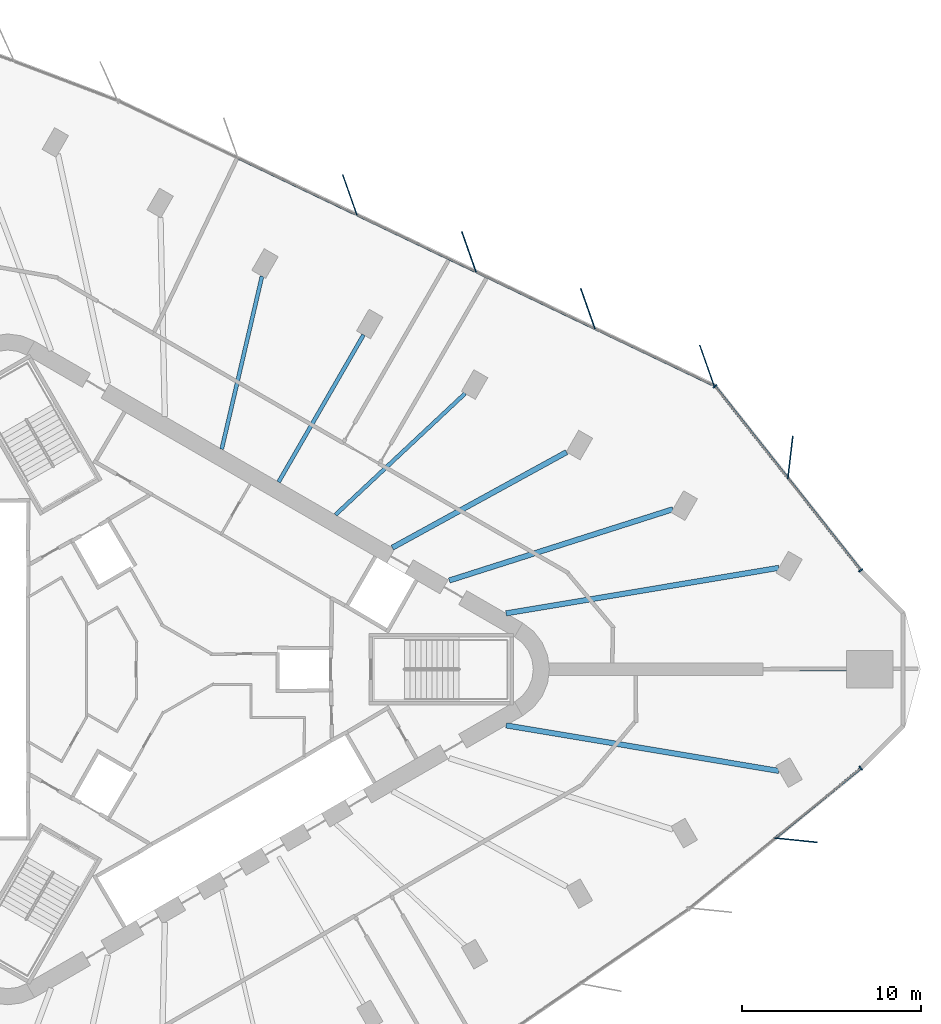
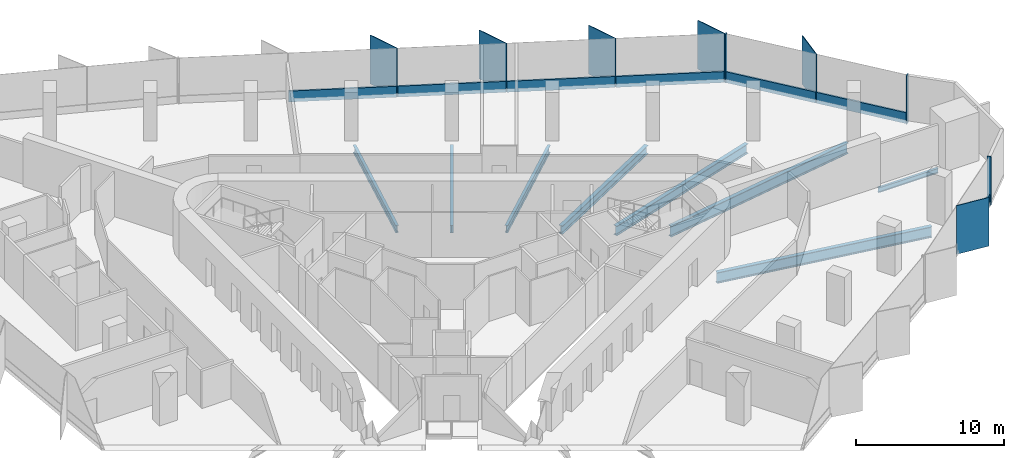
# One storey, part 5 of 13: 16 members, 8 beams, 3 elements without a shape of their own.
"""IFC4 building model written with IfcOpenShell, lengths in metres."""

from ifc_helpers import new_model, si_unit, direction, frame, origin, origin_2d, place, context, subcontext, project, spatial, rectangle, i_section, extrude, material, material_profile, profile_set, type_object, element, aggregate, save


model = new_model("IFC4")

# Units and contexts
model_context = context("Model", 3, precision=1e-05, world=origin(), true_north=direction((0.0, 1.0)))
body_context = subcontext(model_context, "Body", "Model", "MODEL_VIEW")
ifc_project = project(units=[si_unit("LENGTHUNIT", "METRE"), si_unit("AREAUNIT", "SQUARE_METRE"), si_unit("VOLUMEUNIT", "CUBIC_METRE"), si_unit("PLANEANGLEUNIT", "RADIAN"), si_unit("MASSUNIT", "GRAM", prefix="KILO")], contexts=[model_context])

# Site, building, storey
site_placement = place(None, origin())
site = spatial("IfcSite", under=ifc_project, at=site_placement, CompositionType="ELEMENT")
building_placement = place(site_placement, origin())
building = spatial("IfcBuilding", under=site, at=building_placement, Name="Tanit Gate Tower", CompositionType="ELEMENT")
storey_placement = place(building_placement, frame((0.0, 0.0, 197.199951171875)))
storey = spatial("IfcBuildingStorey", under=building, at=storey_placement, Name="L43", CompositionType="ELEMENT", Elevation=197.199951171875)

# Curtain wall, member
ifc_material_1 = material(Name="Aluminium bronze anodised and glass", Category="aluminium")
curtain_wall_type = type_object("IfcCurtainWallType", Name="Curtain wall typical mid", PredefinedType="NOTDEFINED", material=ifc_material_1)
curtain_wall_1_placement = place(storey_placement, origin())
curtain_wall_1 = element("IfcCurtainWall", 1, at=curtain_wall_1_placement, inside=storey, type_object=curtain_wall_type, Name="Curtain wall L43 NE1", PredefinedType="NOTDEFINED")
ifc_material_2 = material(Name="Aluminium bronze anodised", Category="aluminium")
ifc_material_profile_1 = material_profile(ifc_material_2, rectangle(XDim=2.39990234375, YDim=0.055908203125, at=origin_2d()), Name="56x2400 bronze fin mullion")
ifc_profile_set_1 = profile_set([ifc_material_profile_1], Name="Aluminium bronze anodised")
member_type_1 = type_object("IfcMemberType", Name="FIN MULLION 56x2400 bronze", PredefinedType="MULLION", material=ifc_profile_set_1)
member_1_placement = place(storey_placement, frame((34.67626953125, 11.859619140625, -0.300048828125), z_axis=(0.0, 0.0, 1.0), x_axis=(-0.115536669709, -0.993303215515, 0.0)))
member_1 = element("IfcMember", 2, at=member_1_placement, type_object=member_type_1, Name="Fin mullion L43 NE1.2", PredefinedType="MULLION", context=body_context, shape_type="SweptSolid", body=[
    extrude(rectangle(XDim=2.39990234375, YDim=0.055908203125, at=origin_2d()), origin(), (0.0, 0.0, 1.0), 4.0),
])

# Curtain wall, members
curtain_wall_2_placement = place(storey_placement, origin())
curtain_wall_2 = element("IfcCurtainWall", 3, at=curtain_wall_2_placement, inside=storey, type_object=curtain_wall_type, Name="Curtain wall L43 NE2", PredefinedType="NOTDEFINED")
member_2_placement = place(storey_placement, frame((30.011962890625, 16.995849609375, -0.300048828125), z_axis=(0.0, 0.0, 1.0), x_axis=(0.333220063881, -0.942849080727, 0.0)))
member_2 = element("IfcMember", 4, at=member_2_placement, type_object=member_type_1, Name="Fin mullion L43 NE2.1", PredefinedType="MULLION", context=body_context, shape_type="SweptSolid", body=[
    extrude(rectangle(XDim=2.39990234375, YDim=0.055908203125, at=origin_2d()), origin(), (0.0, 0.0, 1.0), 4.0),
])
member_3_placement = place(storey_placement, frame((23.353759765625, 20.1767578125, -0.300048828125), z_axis=(0.0, 0.0, 1.0), x_axis=(0.333220063881, -0.942849080727, 0.0)))
member_3 = element("IfcMember", 5, at=member_3_placement, type_object=member_type_1, Name="Fin mullion L43 NE2.2", PredefinedType="MULLION", context=body_context, shape_type="SweptSolid", body=[
    extrude(rectangle(XDim=2.39990234375, YDim=0.055908203125, at=origin_2d()), origin(), (0.0, 0.0, 1.0), 4.0),
])
member_4_placement = place(storey_placement, frame((16.69580078125, 23.357421875, -0.300048828125), z_axis=(0.0, 0.0, 1.0), x_axis=(0.333220063881, -0.942849080727, 0.0)))
member_4 = element("IfcMember", 6, at=member_4_placement, type_object=member_type_1, Name="Fin mullion L43 NE2.3", PredefinedType="MULLION", context=body_context, shape_type="SweptSolid", body=[
    extrude(rectangle(XDim=2.39990234375, YDim=0.055908203125, at=origin_2d()), origin(), (0.0, 0.0, 1.0), 4.0),
])
member_5_placement = place(storey_placement, frame((10.037841796875, 26.538330078125, -0.300048828125), z_axis=(0.0, 0.0, 1.0), x_axis=(0.333220063881, -0.942849080727, 0.0)))
member_5 = element("IfcMember", 7, at=member_5_placement, type_object=member_type_1, Name="Fin mullion L43 NE2.4", PredefinedType="MULLION", context=body_context, shape_type="SweptSolid", body=[
    extrude(rectangle(XDim=2.39990234375, YDim=0.055908203125, at=origin_2d()), origin(), (0.0, 0.0, 1.0), 4.0),
])

# Curtain wall, member
curtain_wall_3_placement = place(storey_placement, origin())
curtain_wall_3 = element("IfcCurtainWall", 8, at=curtain_wall_3_placement, inside=storey, type_object=curtain_wall_type, Name="Curtain wall L43 SE3", PredefinedType="NOTDEFINED")
member_6_placement = place(storey_placement, frame((34.999755859375, -9.555419921875, -0.300048828125), z_axis=(0.0, 0.0, 1.0), x_axis=(-0.994923483617, 0.10063429707, 0.0)))
member_6 = element("IfcMember", 9, at=member_6_placement, type_object=member_type_1, Name="Fin mullion L43 SE3.2", PredefinedType="MULLION", context=body_context, shape_type="SweptSolid", body=[
    extrude(rectangle(XDim=2.39990234375, YDim=0.055908203125, at=origin_2d()), origin(), (0.0, 0.0, 1.0), 4.0),
])

# Member
ifc_material_3 = material(Name="Aluminium bronze anodised", Category="aluminium")
ifc_material_profile_2 = material_profile(ifc_material_3, rectangle(XDim=0.260009765625, YDim=0.080078125, at=origin_2d()), Name="80x260 bronze mullion")
ifc_profile_set_2 = profile_set([ifc_material_profile_2], Name="Aluminium bronze anodised")
member_type_2 = type_object("IfcMemberType", Name="Mullion 80x260 typical mid", PredefinedType="MULLION", material=ifc_profile_set_2)
member_7_placement = place(storey_placement, frame((38.61474609375, 5.54150390625, -0.300048828125), z_axis=(0.0, 0.0, 1.0), x_axis=(-0.784068202092, -0.620674676838, 0.0)))
member_7 = element("IfcMember", 10, at=member_7_placement, type_object=member_type_2, Name="Mullion L43 NE1.1", PredefinedType="MULLION", context=body_context, shape_type="SweptSolid", body=[
    extrude(rectangle(XDim=0.260009765625, YDim=0.080078125, at=origin_2d()), origin(), (0.0, 0.0, 1.0), 4.0),
])

member_8_placement = place(storey_placement, frame((30.465576171875, 15.8359375, -0.300048828125), z_axis=(0.0, 0.0, 1.0), x_axis=(-0.784068202092, -0.620674676838, 0.0)))
member_8 = element("IfcMember", 11, at=member_8_placement, type_object=member_type_2, Name="Mullion L43 NE1.3", PredefinedType="MULLION", context=body_context, shape_type="SweptSolid", body=[
    extrude(rectangle(XDim=0.260009765625, YDim=0.080078125, at=origin_2d()), origin(), (0.0, 0.0, 1.0), 4.0),
])

member_9_placement = place(storey_placement, frame((38.61767578125, -5.5263671875, -0.300048828125), z_axis=(0.0, 0.0, 1.0), x_axis=(-0.63235794815, 0.774676335905, 0.0)))
member_9 = element("IfcMember", 12, at=member_9_placement, type_object=member_type_2, Name="Mullion L43 SE3.3", PredefinedType="MULLION", context=body_context, shape_type="SweptSolid", body=[
    extrude(rectangle(XDim=0.260009765625, YDim=0.080078125, at=origin_2d()), origin(), (0.0, 0.0, 1.0), 4.0),
])

# Beams
ifc_material_4 = material(Name="Steel S355", Category="steel")
ifc_material_profile_3 = material_profile(ifc_material_4, i_section(OverallWidth=0.300048828125, OverallDepth=0.68994140625, WebThickness=0.014404296875, FlangeThickness=0.027099609375, FilletRadius=0.027099609375, at=origin_2d()), Name="HEA 700")
ifc_profile_set_3 = profile_set([ifc_material_profile_3], Name="Steel S355")
beam_type_1 = type_object("IfcBeamType", Name="RADIAL GIRDER HEA 700 S355", PredefinedType="BEAM", material=ifc_profile_set_3)
beam_1_placement = place(storey_placement, frame((22.16259765625, 12.152587890625, -0.64501953125), z_axis=(-0.876836895989, -0.480787955165, 0.0), x_axis=(0.480787955165, -0.876836895989, 0.0)))
element("IfcBeam", 13, at=beam_1_placement, inside=storey, type_object=beam_type_1, Name="RADIAL GIRDER", PredefinedType="BEAM", context=body_context, shape_type="SweptSolid", body=[
    extrude(i_section(OverallWidth=0.300048828125, OverallDepth=0.68994140625, WebThickness=0.014404296875, FlangeThickness=0.027099609375, FilletRadius=0.027099609375, at=origin_2d()), origin(), (0.0, 0.0, 1.0), 11.1181640625),
])
ifc_material_5 = material(Name="Steel S355", Category="steel")
ifc_material_profile_4 = material_profile(ifc_material_5, i_section(OverallWidth=0.300048828125, OverallDepth=0.7900390625, WebThickness=0.014892578125, FlangeThickness=0.028076171875, FilletRadius=0.030029296875, at=origin_2d()), Name="HEA 800")
ifc_profile_set_4 = profile_set([ifc_material_profile_4], Name="Steel S355")
beam_type_2 = type_object("IfcBeamType", Name="RADIAL GIRDER HEA 800 S355", PredefinedType="BEAM", material=ifc_profile_set_4)
beam_2_placement = place(storey_placement, frame((28.107666015625, 8.9580078125, -0.695068359375), z_axis=(-0.952781377786, -0.303657119369, 0.0), x_axis=(0.303657119369, -0.952781377786, 0.0)))
element("IfcBeam", 14, at=beam_2_placement, inside=storey, type_object=beam_type_2, Name="RADIAL GIRDER", PredefinedType="BEAM", context=body_context, shape_type="SweptSolid", body=[
    extrude(i_section(OverallWidth=0.300048828125, OverallDepth=0.7900390625, WebThickness=0.014892578125, FlangeThickness=0.028076171875, FilletRadius=0.030029296875, at=origin_2d()), origin(), (0.0, 0.0, 1.0), 13.132568359375),
])
ifc_material_6 = material(Name="Steel S355", Category="steel")
ifc_material_profile_5 = material_profile(ifc_material_6, i_section(OverallWidth=0.300048828125, OverallDepth=0.889892578125, WebThickness=0.01611328125, FlangeThickness=0.030029296875, FilletRadius=0.030029296875, at=origin_2d()), Name="HEA 900")
ifc_profile_set_5 = profile_set([ifc_material_profile_5], Name="Steel S355")
beam_type_3 = type_object("IfcBeamType", Name="RADIAL GIRDER HEA 900 S355", PredefinedType="BEAM", material=ifc_profile_set_5)
for number, where, z_axis, x_axis, name in (
    (15, (34.033203125, -5.679443359375, -0.744873046875), (-0.986358065875, 0.164613990543, 0.0), (-0.164613990543, -0.986358065875, 0.0), "RADIAL GIRDER"),
    (16, (34.033203125, 5.679443359375, -0.744873046875), (-0.986358065875, -0.164613990543, 0.0), (0.164613990543, -0.986358065875, 0.0), "RADIAL GIRDER"),
):
    element("IfcBeam", number, at=place(storey_placement, frame(where, z_axis=z_axis, x_axis=x_axis)), inside=storey, type_object=beam_type_3, Name=name, PredefinedType="BEAM", context=body_context, shape_type="SweptSolid", body=[
        extrude(i_section(OverallWidth=0.300048828125, OverallDepth=0.889892578125, WebThickness=0.01611328125, FlangeThickness=0.030029296875, FilletRadius=0.030029296875, at=origin_2d()), origin(), (0.0, 0.0, 1.0), 15.46728515625),
    ])
ifc_material_7 = material(Name="Steel S355", Category="steel")
ifc_material_profile_6 = material_profile(ifc_material_7, i_section(OverallWidth=0.179931640625, OverallDepth=0.39990234375, WebThickness=0.008544921875, FlangeThickness=0.013427734375, FilletRadius=0.02099609375, at=origin_2d()), Name="IPE 400")
ifc_profile_set_6 = profile_set([ifc_material_profile_6], Name="Steel S355")
beam_type_4 = type_object("IfcBeamType", Name="RADIAL GIRDER IPE 400 S355", PredefinedType="BEAM", material=ifc_profile_set_6)
beam_3_placement = place(storey_placement, frame((37.806640625, 0.0, -0.5), z_axis=(-1.0, 0.0, 0.0), x_axis=(0.0, -1.0, 0.0)))
element("IfcBeam", 17, at=beam_3_placement, inside=storey, type_object=beam_type_4, Name="RADIAL GIRDER", PredefinedType="BEAM", context=body_context, shape_type="SweptSolid", body=[
    extrude(i_section(OverallWidth=0.179931640625, OverallDepth=0.39990234375, WebThickness=0.008544921875, FlangeThickness=0.013427734375, FilletRadius=0.02099609375, at=origin_2d()), origin(), (0.0, 0.0, 1.0), 4.64990234375),
])
ifc_material_8 = material(Name="Steel S355", Category="steel")
ifc_material_profile_7 = material_profile(ifc_material_8, i_section(OverallWidth=0.219970703125, OverallDepth=0.60009765625, WebThickness=0.011962890625, FlangeThickness=0.01904296875, FilletRadius=0.02392578125, at=origin_2d()), Name="IPE 600")
ifc_profile_set_7 = profile_set([ifc_material_profile_7], Name="Steel S355")
beam_type_5 = type_object("IfcBeamType", Name="RADIAL GIRDER IPE 600 S355", PredefinedType="BEAM", material=ifc_profile_set_7)
beam_4_placement = place(storey_placement, frame((16.48291015625, 15.431884765625, -0.599853515625), z_axis=(-0.730001567612, -0.6834454706, 0.0), x_axis=(0.6834454706, -0.730001567612, 0.0)))
element("IfcBeam", 18, at=beam_4_placement, inside=storey, type_object=beam_type_5, Name="RADIAL GIRDER", PredefinedType="BEAM", context=body_context, shape_type="SweptSolid", body=[
    extrude(i_section(OverallWidth=0.219970703125, OverallDepth=0.60009765625, WebThickness=0.011962890625, FlangeThickness=0.01904296875, FilletRadius=0.02392578125, at=origin_2d()), origin(), (0.0, 0.0, 1.0), 9.93212890625),
])
beam_5_placement = place(storey_placement, frame((10.802978515625, 18.711181640625, -0.599853515625), z_axis=(-0.500007084799, -0.866021313335, 0.0), x_axis=(0.866021313335, -0.500007084799, 0.0)))
element("IfcBeam", 19, at=beam_5_placement, inside=storey, type_object=beam_type_5, Name="RADIAL GIRDER", PredefinedType="BEAM", context=body_context, shape_type="SweptSolid", body=[
    extrude(i_section(OverallWidth=0.219970703125, OverallDepth=0.60009765625, WebThickness=0.011962890625, FlangeThickness=0.01904296875, FilletRadius=0.02392578125, at=origin_2d()), origin(), (0.0, 0.0, 1.0), 9.503662109375),
])
beam_6_placement = place(storey_placement, frame((5.123046875, 21.990478515625, -0.599853515625), z_axis=(-0.226882255877, -0.973922195028, 0.0), x_axis=(0.973922195028, -0.226882255877, 0.0)))
element("IfcBeam", 20, at=beam_6_placement, inside=storey, type_object=beam_type_5, Name="RADIAL GIRDER", PredefinedType="BEAM", context=body_context, shape_type="SweptSolid", body=[
    extrude(i_section(OverallWidth=0.219970703125, OverallDepth=0.60009765625, WebThickness=0.011962890625, FlangeThickness=0.01904296875, FilletRadius=0.02392578125, at=origin_2d()), origin(), (0.0, 0.0, 1.0), 9.93212890625),
])

# Member
ifc_material_9 = material(Name="Aluminium bronze anodised", Category="aluminium")
ifc_material_profile_8 = material_profile(ifc_material_9, rectangle(XDim=0.139892578125, YDim=0.89990234375, at=origin_2d()), Name="140x900 bronze transom")
ifc_profile_set_8 = profile_set([ifc_material_profile_8], Name="Aluminium bronze anodised")
member_type_3 = type_object("IfcMemberType", Name="Transom 140x900 typical mid", PredefinedType="USERDEFINED", material=ifc_profile_set_8)
member_10_placement = place(storey_placement, frame((38.58984375, 5.572998046875, 0.150146484375), z_axis=(-0.620674014427, 0.784068726462, 0.0), x_axis=(-0.784068726462, -0.620674014427, 0.0)))
member_10 = element("IfcMember", 21, at=member_10_placement, type_object=member_type_3, Name="Transom L43 NE1.1", ObjectType="TRANSOM", PredefinedType="USERDEFINED", context=body_context, shape_type="SweptSolid", body=[
    extrude(rectangle(XDim=0.139892578125, YDim=0.89990234375, at=origin_2d()), origin(), (0.0, 0.0, 1.0), 6.484619140625),
])

member_11_placement = place(storey_placement, frame((34.515380859375, 10.72021484375, 0.150146484375), z_axis=(-0.620692336506, 0.784054222234, 0.0), x_axis=(-0.784054222234, -0.620692336506, 0.0)))
member_11 = element("IfcMember", 22, at=member_11_placement, type_object=member_type_3, Name="Transom L43 NE1.2", ObjectType="TRANSOM", PredefinedType="USERDEFINED", context=body_context, shape_type="SweptSolid", body=[
    extrude(rectangle(XDim=0.139892578125, YDim=0.89990234375, at=origin_2d()), origin(), (0.0, 0.0, 1.0), 6.484619140625),
])

aggregate(curtain_wall_1, [member_7, member_1, member_8, member_10, member_11])

member_12_placement = place(storey_placement, frame((30.36865234375, 15.901611328125, 0.150146484375), z_axis=(-0.902310754924, 0.431086188073, 0.0), x_axis=(-0.431086188073, -0.902310754924, 0.0)))
member_12 = element("IfcMember", 23, at=member_12_placement, type_object=member_type_3, Name="Transom L43 NE2.1", ObjectType="TRANSOM", PredefinedType="USERDEFINED", context=body_context, shape_type="SweptSolid", body=[
    extrude(rectangle(XDim=0.139892578125, YDim=0.89990234375, at=origin_2d()), origin(), (0.0, 0.0, 1.0), 7.299072265625),
])

member_13_placement = place(storey_placement, frame((23.71044921875, 19.08251953125, 0.150146484375), z_axis=(-0.902317549821, 0.431071965321, 0.0), x_axis=(-0.431071965321, -0.902317549821, 0.0)))
member_13 = element("IfcMember", 24, at=member_13_placement, type_object=member_type_3, Name="Transom L43 NE2.2", ObjectType="TRANSOM", PredefinedType="USERDEFINED", context=body_context, shape_type="SweptSolid", body=[
    extrude(rectangle(XDim=0.139892578125, YDim=0.89990234375, at=origin_2d()), origin(), (0.0, 0.0, 1.0), 7.298583984375),
])

member_14_placement = place(storey_placement, frame((17.052490234375, 22.263427734375, 0.150146484375), z_axis=(-0.902317549821, 0.431071965321, 0.0), x_axis=(-0.431071965321, -0.902317549821, 0.0)))
member_14 = element("IfcMember", 25, at=member_14_placement, type_object=member_type_3, Name="Transom L43 NE2.3", ObjectType="TRANSOM", PredefinedType="USERDEFINED", context=body_context, shape_type="SweptSolid", body=[
    extrude(rectangle(XDim=0.139892578125, YDim=0.89990234375, at=origin_2d()), origin(), (0.0, 0.0, 1.0), 7.298583984375),
])

member_15_placement = place(storey_placement, frame((10.39453125, 25.444091796875, 0.150146484375), z_axis=(-0.902323765346, 0.431058954775, 0.0), x_axis=(-0.431058954775, -0.902323765346, 0.0)))
member_15 = element("IfcMember", 26, at=member_15_placement, type_object=member_type_3, Name="Transom L43 NE2.4", ObjectType="TRANSOM", PredefinedType="USERDEFINED", context=body_context, shape_type="SweptSolid", body=[
    extrude(rectangle(XDim=0.139892578125, YDim=0.89990234375, at=origin_2d()), origin(), (0.0, 0.0, 1.0), 7.298828125),
])

aggregate(curtain_wall_2, [member_2, member_3, member_4, member_5, member_12, member_13, member_14, member_15])

member_16_placement = place(storey_placement, frame((33.85791015625, -9.41162109375, 0.150146484375), z_axis=(0.774669596995, 0.632366203629, 0.0), x_axis=(-0.632366203629, 0.774669596995, 0.0)))
member_16 = element("IfcMember", 27, at=member_16_placement, type_object=member_type_3, Name="Transom L43 SE3.2", ObjectType="TRANSOM", PredefinedType="USERDEFINED", context=body_context, shape_type="SweptSolid", body=[
    extrude(rectangle(XDim=0.139892578125, YDim=0.89990234375, at=origin_2d()), origin(), (0.0, 0.0, 1.0), 6.104248046875),
])

aggregate(curtain_wall_3, [member_6, member_9, member_16])

save(model, "model.ifc")
